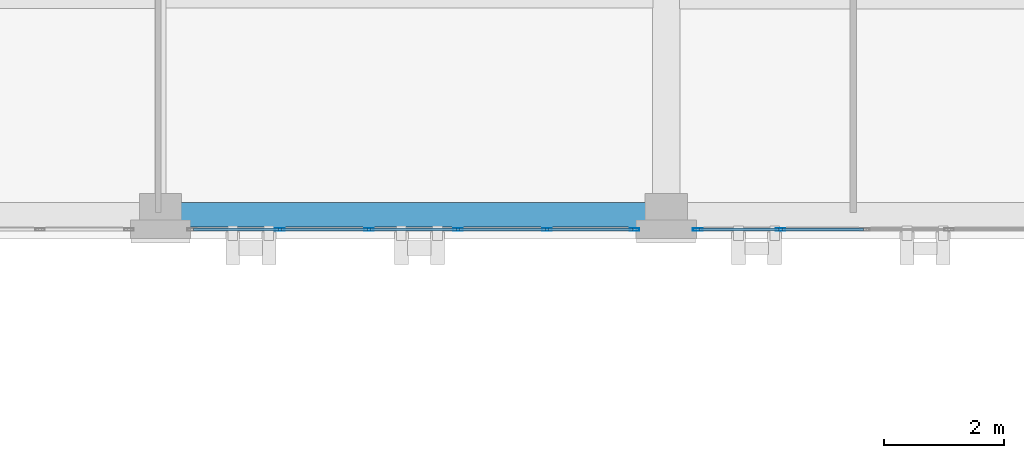
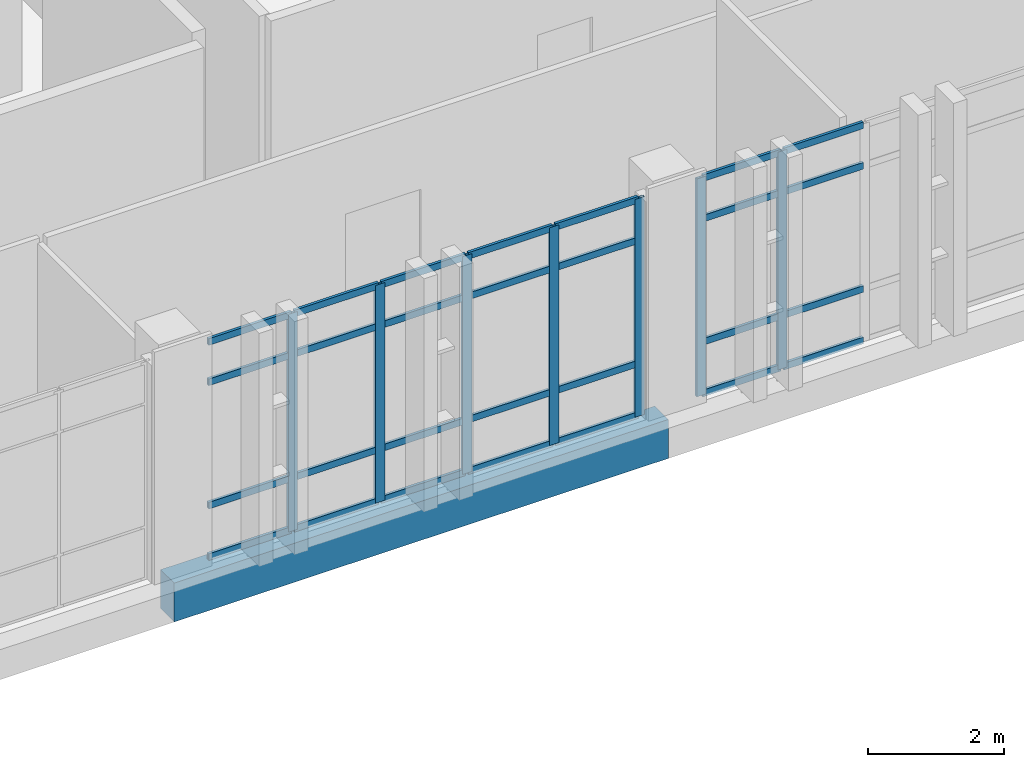
# One storey, part 85 of 193: 35 members, 1 beam, 2 elements without a shape of their own.
"""IFC4 building model written with IfcOpenShell, lengths in metres."""

from ifc_helpers import new_model, si_unit, direction, frame, origin, origin_2d, place, context, subcontext, project, spatial, rectangle, hollow_rectangle, extrude, material, layer, layer_set, material_profile, profile_set, type_object, element, aggregate, save


model = new_model("IFC4")

# Units and contexts
model_context = context("Model", 3, precision=1e-05, world=origin(), true_north=direction((0.0, 1.0)))
body_context = subcontext(model_context, "Body", "Model", "MODEL_VIEW")
ifc_project = project(units=[si_unit("LENGTHUNIT", "METRE"), si_unit("AREAUNIT", "SQUARE_METRE"), si_unit("VOLUMEUNIT", "CUBIC_METRE"), si_unit("PLANEANGLEUNIT", "RADIAN"), si_unit("MASSUNIT", "GRAM", prefix="KILO")], contexts=[model_context])

# Site, building, storey
site_placement = place(None, origin())
site = spatial("IfcSite", under=ifc_project, at=site_placement, CompositionType="ELEMENT")
building_placement = place(site_placement, origin())
building = spatial("IfcBuilding", under=site, at=building_placement, Name="Qalavern Law Courts", CompositionType="ELEMENT")
storey_placement = place(building_placement, frame((0.0, 0.0, 10.199951171875)))
storey = spatial("IfcBuildingStorey", under=building, at=storey_placement, Name="L02", CompositionType="ELEMENT", Elevation=10.199951171875)

# Curtain wall, members
ifc_material_1 = material(Name="Anodised aluminium and insulated glazing", Category="aluminium")
ifc_layer = layer(ifc_material_1, 0.166015625)
ifc_layer_set = layer_set([ifc_layer], Name="Anodised aluminium and insulated glazing")
curtain_wall_type = type_object("IfcCurtainWallType", Name="ENV-CW-LIB", PredefinedType="USERDEFINED", material=ifc_layer_set)
curtain_wall_1_placement = place(storey_placement, origin())
curtain_wall_1 = element("IfcCurtainWall", 1, at=curtain_wall_1_placement, inside=storey, type_object=curtain_wall_type, Name="V5 unitised curtain wall L02 south 2", ObjectType="UNITISED CURTAIN WALL", PredefinedType="USERDEFINED")
ifc_material_2 = material(Name="Anodised aluminium", Category="aluminium")
ifc_material_profile_1 = material_profile(ifc_material_2, hollow_rectangle(XDim=0.048095703125, YDim=0.159912109375, WallThickness=0.00390625, at=origin_2d()), Name="ALU MULLION 48x160")
ifc_profile_set_1 = profile_set([ifc_material_profile_1], Name="Anodised aluminium")
member_type_1 = type_object("IfcMemberType", Name="ENV-CWM-48x160", PredefinedType="MULLION", material=ifc_profile_set_1)
member_1_placement = place(storey_placement, frame((30.3798828125, 96.35498046875, 0.0), z_axis=(0.0, 0.0, 1.0), x_axis=(0.0, 1.0, 0.0)))
member_1 = element("IfcMember", 2, at=member_1_placement, type_object=member_type_1, Name="CW-05 mullion 2", PredefinedType="MULLION", context=body_context, shape_type="SweptSolid", body=[
    extrude(hollow_rectangle(XDim=0.048095703125, YDim=0.159912109375, WallThickness=0.00390625, at=origin_2d()), origin(), (0.0, 0.0, 1.0), 3.9150390625),
])
member_2_placement = place(storey_placement, frame((31.860107421875, 96.35498046875, 0.0), z_axis=(0.0, 0.0, 1.0), x_axis=(0.0, 1.0, 0.0)))
member_2 = element("IfcMember", 3, at=member_2_placement, type_object=member_type_1, Name="CW-05 mullion 3", PredefinedType="MULLION", context=body_context, shape_type="SweptSolid", body=[
    extrude(hollow_rectangle(XDim=0.048095703125, YDim=0.159912109375, WallThickness=0.00390625, at=origin_2d()), origin(), (0.0, 0.0, 1.0), 3.9150390625),
])
member_3_placement = place(storey_placement, frame((33.340087890625, 96.35498046875, 0.0), z_axis=(0.0, 0.0, 1.0), x_axis=(0.0, 1.0, 0.0)))
member_3 = element("IfcMember", 4, at=member_3_placement, type_object=member_type_1, Name="CW-05 mullion 4", PredefinedType="MULLION", context=body_context, shape_type="SweptSolid", body=[
    extrude(hollow_rectangle(XDim=0.048095703125, YDim=0.159912109375, WallThickness=0.00390625, at=origin_2d()), origin(), (0.0, 0.0, 1.0), 3.9150390625),
])
member_4_placement = place(storey_placement, frame((34.820068359375, 96.35498046875, 0.0), z_axis=(0.0, 0.0, 1.0), x_axis=(0.0, 1.0, 0.0)))
member_4 = element("IfcMember", 5, at=member_4_placement, type_object=member_type_1, Name="CW-05 mullion 5", PredefinedType="MULLION", context=body_context, shape_type="SweptSolid", body=[
    extrude(hollow_rectangle(XDim=0.048095703125, YDim=0.159912109375, WallThickness=0.00390625, at=origin_2d()), origin(), (0.0, 0.0, 1.0), 3.9150390625),
])
member_5_placement = place(storey_placement, frame((36.27587890625, 96.35498046875, 0.0), z_axis=(0.0, 0.0, 1.0), x_axis=(0.0, 1.0, 0.0)))
member_5 = element("IfcMember", 6, at=member_5_placement, type_object=member_type_1, Name="CW-05 mullion 6", PredefinedType="MULLION", context=body_context, shape_type="SweptSolid", body=[
    extrude(hollow_rectangle(XDim=0.048095703125, YDim=0.159912109375, WallThickness=0.00390625, at=origin_2d()), origin(), (0.0, 0.0, 1.0), 3.9150390625),
])

curtain_wall_2_placement = place(storey_placement, origin())
curtain_wall_2 = element("IfcCurtainWall", 7, at=curtain_wall_2_placement, inside=storey, type_object=curtain_wall_type, Name="V5 unitised curtain wall L02 south 3", ObjectType="UNITISED CURTAIN WALL", PredefinedType="USERDEFINED")
member_6_placement = place(storey_placement, frame((37.323974609375, 96.35498046875, 0.0), z_axis=(0.0, 0.0, 1.0), x_axis=(0.0, 1.0, 0.0)))
member_6 = element("IfcMember", 8, at=member_6_placement, type_object=member_type_1, Name="CW-05 mullion 1", PredefinedType="MULLION", context=body_context, shape_type="SweptSolid", body=[
    extrude(hollow_rectangle(XDim=0.048095703125, YDim=0.159912109375, WallThickness=0.00390625, at=origin_2d()), origin(), (0.0, 0.0, 1.0), 3.9150390625),
])
member_7_placement = place(storey_placement, frame((38.699951171875, 96.35498046875, 0.0), z_axis=(0.0, 0.0, 1.0), x_axis=(0.0, 1.0, 0.0)))
member_7 = element("IfcMember", 9, at=member_7_placement, type_object=member_type_1, Name="CW-05 mullion 2", PredefinedType="MULLION", context=body_context, shape_type="SweptSolid", body=[
    extrude(hollow_rectangle(XDim=0.048095703125, YDim=0.159912109375, WallThickness=0.00390625, at=origin_2d()), origin(), (0.0, 0.0, 1.0), 3.9150390625),
])

# Member
ifc_material_profile_2 = material_profile(ifc_material_2, hollow_rectangle(XDim=0.048095703125, YDim=0.1201171875, WallThickness=0.00390625, at=origin_2d()), Name="ALU TRANSOM 48x120")
ifc_profile_set_2 = profile_set([ifc_material_profile_2], Name="Anodised aluminium")
member_type_2 = type_object("IfcMemberType", Name="ENV-CWT-48x120", PredefinedType="USERDEFINED", material=ifc_profile_set_2)
member_8_placement = place(storey_placement, frame((28.947998046875, 96.35498046875, 0.024169921875), z_axis=(1.0, 0.0, 0.0), x_axis=(0.0, 1.0, 0.0)))
member_8 = element("IfcMember", 10, at=member_8_placement, type_object=member_type_2, Name="CW-05 transom 1.1", ObjectType="TRANSOM", PredefinedType="USERDEFINED", context=body_context, shape_type="SweptSolid", body=[
    extrude(hollow_rectangle(XDim=0.048095703125, YDim=0.1201171875, WallThickness=0.00390625, at=origin_2d()), origin(), (0.0, 0.0, 1.0), 1.407958984375),
])

member_9_placement = place(storey_placement, frame((28.947998046875, 96.35498046875, 0.949951171875), z_axis=(1.0, 0.0, 0.0), x_axis=(0.0, 1.0, 0.0)))
member_9 = element("IfcMember", 11, at=member_9_placement, type_object=member_type_2, Name="CW-05 transom 1.2", ObjectType="TRANSOM", PredefinedType="USERDEFINED", context=body_context, shape_type="SweptSolid", body=[
    extrude(hollow_rectangle(XDim=0.048095703125, YDim=0.1201171875, WallThickness=0.00390625, at=origin_2d()), origin(), (0.0, 0.0, 1.0), 1.407958984375),
])

member_10_placement = place(storey_placement, frame((28.947998046875, 96.35498046875, 3.1650390625), z_axis=(1.0, 0.0, 0.0), x_axis=(0.0, 1.0, 0.0)))
member_10 = element("IfcMember", 12, at=member_10_placement, type_object=member_type_2, Name="CW-05 transom 1.3", ObjectType="TRANSOM", PredefinedType="USERDEFINED", context=body_context, shape_type="SweptSolid", body=[
    extrude(hollow_rectangle(XDim=0.048095703125, YDim=0.1201171875, WallThickness=0.00390625, at=origin_2d()), origin(), (0.0, 0.0, 1.0), 1.407958984375),
])

member_11_placement = place(storey_placement, frame((28.947998046875, 96.35498046875, 3.89111328125), z_axis=(1.0, 0.0, 0.0), x_axis=(0.0, 1.0, 0.0)))
member_11 = element("IfcMember", 13, at=member_11_placement, type_object=member_type_2, Name="CW-05 transom 1.4", ObjectType="TRANSOM", PredefinedType="USERDEFINED", context=body_context, shape_type="SweptSolid", body=[
    extrude(hollow_rectangle(XDim=0.048095703125, YDim=0.1201171875, WallThickness=0.00390625, at=origin_2d()), origin(), (0.0, 0.0, 1.0), 1.407958984375),
])

member_12_placement = place(storey_placement, frame((30.404052734375, 96.35498046875, 0.024169921875), z_axis=(1.0, 0.0, 0.0), x_axis=(0.0, 1.0, 0.0)))
member_12 = element("IfcMember", 14, at=member_12_placement, type_object=member_type_2, Name="CW-05 transom 2.1", ObjectType="TRANSOM", PredefinedType="USERDEFINED", context=body_context, shape_type="SweptSolid", body=[
    extrude(hollow_rectangle(XDim=0.048095703125, YDim=0.1201171875, WallThickness=0.00390625, at=origin_2d()), origin(), (0.0, 0.0, 1.0), 1.431884765625),
])

member_13_placement = place(storey_placement, frame((30.404052734375, 96.35498046875, 0.949951171875), z_axis=(1.0, 0.0, 0.0), x_axis=(0.0, 1.0, 0.0)))
member_13 = element("IfcMember", 15, at=member_13_placement, type_object=member_type_2, Name="CW-05 transom 2.2", ObjectType="TRANSOM", PredefinedType="USERDEFINED", context=body_context, shape_type="SweptSolid", body=[
    extrude(hollow_rectangle(XDim=0.048095703125, YDim=0.1201171875, WallThickness=0.00390625, at=origin_2d()), origin(), (0.0, 0.0, 1.0), 1.431884765625),
])

member_14_placement = place(storey_placement, frame((30.404052734375, 96.35498046875, 3.1650390625), z_axis=(1.0, 0.0, 0.0), x_axis=(0.0, 1.0, 0.0)))
member_14 = element("IfcMember", 16, at=member_14_placement, type_object=member_type_2, Name="CW-05 transom 2.3", ObjectType="TRANSOM", PredefinedType="USERDEFINED", context=body_context, shape_type="SweptSolid", body=[
    extrude(hollow_rectangle(XDim=0.048095703125, YDim=0.1201171875, WallThickness=0.00390625, at=origin_2d()), origin(), (0.0, 0.0, 1.0), 1.431884765625),
])

member_15_placement = place(storey_placement, frame((30.404052734375, 96.35498046875, 3.89111328125), z_axis=(1.0, 0.0, 0.0), x_axis=(0.0, 1.0, 0.0)))
member_15 = element("IfcMember", 17, at=member_15_placement, type_object=member_type_2, Name="CW-05 transom 2.4", ObjectType="TRANSOM", PredefinedType="USERDEFINED", context=body_context, shape_type="SweptSolid", body=[
    extrude(hollow_rectangle(XDim=0.048095703125, YDim=0.1201171875, WallThickness=0.00390625, at=origin_2d()), origin(), (0.0, 0.0, 1.0), 1.431884765625),
])

member_16_placement = place(storey_placement, frame((31.884033203125, 96.35498046875, 0.024169921875), z_axis=(1.0, 0.0, 0.0), x_axis=(0.0, 1.0, 0.0)))
member_16 = element("IfcMember", 18, at=member_16_placement, type_object=member_type_2, Name="CW-05 transom 3.1", ObjectType="TRANSOM", PredefinedType="USERDEFINED", context=body_context, shape_type="SweptSolid", body=[
    extrude(hollow_rectangle(XDim=0.048095703125, YDim=0.1201171875, WallThickness=0.00390625, at=origin_2d()), origin(), (0.0, 0.0, 1.0), 1.431884765625),
])

member_17_placement = place(storey_placement, frame((31.884033203125, 96.35498046875, 0.949951171875), z_axis=(1.0, 0.0, 0.0), x_axis=(0.0, 1.0, 0.0)))
member_17 = element("IfcMember", 19, at=member_17_placement, type_object=member_type_2, Name="CW-05 transom 3.2", ObjectType="TRANSOM", PredefinedType="USERDEFINED", context=body_context, shape_type="SweptSolid", body=[
    extrude(hollow_rectangle(XDim=0.048095703125, YDim=0.1201171875, WallThickness=0.00390625, at=origin_2d()), origin(), (0.0, 0.0, 1.0), 1.431884765625),
])

member_18_placement = place(storey_placement, frame((31.884033203125, 96.35498046875, 3.1650390625), z_axis=(1.0, 0.0, 0.0), x_axis=(0.0, 1.0, 0.0)))
member_18 = element("IfcMember", 20, at=member_18_placement, type_object=member_type_2, Name="CW-05 transom 3.3", ObjectType="TRANSOM", PredefinedType="USERDEFINED", context=body_context, shape_type="SweptSolid", body=[
    extrude(hollow_rectangle(XDim=0.048095703125, YDim=0.1201171875, WallThickness=0.00390625, at=origin_2d()), origin(), (0.0, 0.0, 1.0), 1.431884765625),
])

member_19_placement = place(storey_placement, frame((31.884033203125, 96.35498046875, 3.89111328125), z_axis=(1.0, 0.0, 0.0), x_axis=(0.0, 1.0, 0.0)))
member_19 = element("IfcMember", 21, at=member_19_placement, type_object=member_type_2, Name="CW-05 transom 3.4", ObjectType="TRANSOM", PredefinedType="USERDEFINED", context=body_context, shape_type="SweptSolid", body=[
    extrude(hollow_rectangle(XDim=0.048095703125, YDim=0.1201171875, WallThickness=0.00390625, at=origin_2d()), origin(), (0.0, 0.0, 1.0), 1.431884765625),
])

member_20_placement = place(storey_placement, frame((33.364013671875, 96.35498046875, 0.024169921875), z_axis=(1.0, 0.0, 0.0), x_axis=(0.0, 1.0, 0.0)))
member_20 = element("IfcMember", 22, at=member_20_placement, type_object=member_type_2, Name="CW-05 transom 4.1", ObjectType="TRANSOM", PredefinedType="USERDEFINED", context=body_context, shape_type="SweptSolid", body=[
    extrude(hollow_rectangle(XDim=0.048095703125, YDim=0.1201171875, WallThickness=0.00390625, at=origin_2d()), origin(), (0.0, 0.0, 1.0), 1.431884765625),
])

member_21_placement = place(storey_placement, frame((33.364013671875, 96.35498046875, 0.949951171875), z_axis=(1.0, 0.0, 0.0), x_axis=(0.0, 1.0, 0.0)))
member_21 = element("IfcMember", 23, at=member_21_placement, type_object=member_type_2, Name="CW-05 transom 4.2", ObjectType="TRANSOM", PredefinedType="USERDEFINED", context=body_context, shape_type="SweptSolid", body=[
    extrude(hollow_rectangle(XDim=0.048095703125, YDim=0.1201171875, WallThickness=0.00390625, at=origin_2d()), origin(), (0.0, 0.0, 1.0), 1.431884765625),
])

member_22_placement = place(storey_placement, frame((33.364013671875, 96.35498046875, 3.1650390625), z_axis=(1.0, 0.0, 0.0), x_axis=(0.0, 1.0, 0.0)))
member_22 = element("IfcMember", 24, at=member_22_placement, type_object=member_type_2, Name="CW-05 transom 4.3", ObjectType="TRANSOM", PredefinedType="USERDEFINED", context=body_context, shape_type="SweptSolid", body=[
    extrude(hollow_rectangle(XDim=0.048095703125, YDim=0.1201171875, WallThickness=0.00390625, at=origin_2d()), origin(), (0.0, 0.0, 1.0), 1.431884765625),
])

member_23_placement = place(storey_placement, frame((33.364013671875, 96.35498046875, 3.89111328125), z_axis=(1.0, 0.0, 0.0), x_axis=(0.0, 1.0, 0.0)))
member_23 = element("IfcMember", 25, at=member_23_placement, type_object=member_type_2, Name="CW-05 transom 4.4", ObjectType="TRANSOM", PredefinedType="USERDEFINED", context=body_context, shape_type="SweptSolid", body=[
    extrude(hollow_rectangle(XDim=0.048095703125, YDim=0.1201171875, WallThickness=0.00390625, at=origin_2d()), origin(), (0.0, 0.0, 1.0), 1.431884765625),
])

member_24_placement = place(storey_placement, frame((34.843994140625, 96.35498046875, 0.024169921875), z_axis=(1.0, 0.0, 0.0), x_axis=(0.0, 1.0, 0.0)))
member_24 = element("IfcMember", 26, at=member_24_placement, type_object=member_type_2, Name="CW-05 transom 5.1", ObjectType="TRANSOM", PredefinedType="USERDEFINED", context=body_context, shape_type="SweptSolid", body=[
    extrude(hollow_rectangle(XDim=0.048095703125, YDim=0.1201171875, WallThickness=0.00390625, at=origin_2d()), origin(), (0.0, 0.0, 1.0), 1.407958984375),
])

member_25_placement = place(storey_placement, frame((34.843994140625, 96.35498046875, 0.949951171875), z_axis=(1.0, 0.0, 0.0), x_axis=(0.0, 1.0, 0.0)))
member_25 = element("IfcMember", 27, at=member_25_placement, type_object=member_type_2, Name="CW-05 transom 5.2", ObjectType="TRANSOM", PredefinedType="USERDEFINED", context=body_context, shape_type="SweptSolid", body=[
    extrude(hollow_rectangle(XDim=0.048095703125, YDim=0.1201171875, WallThickness=0.00390625, at=origin_2d()), origin(), (0.0, 0.0, 1.0), 1.407958984375),
])

member_26_placement = place(storey_placement, frame((34.843994140625, 96.35498046875, 3.1650390625), z_axis=(1.0, 0.0, 0.0), x_axis=(0.0, 1.0, 0.0)))
member_26 = element("IfcMember", 28, at=member_26_placement, type_object=member_type_2, Name="CW-05 transom 5.3", ObjectType="TRANSOM", PredefinedType="USERDEFINED", context=body_context, shape_type="SweptSolid", body=[
    extrude(hollow_rectangle(XDim=0.048095703125, YDim=0.1201171875, WallThickness=0.00390625, at=origin_2d()), origin(), (0.0, 0.0, 1.0), 1.407958984375),
])

member_27_placement = place(storey_placement, frame((34.843994140625, 96.35498046875, 3.89111328125), z_axis=(1.0, 0.0, 0.0), x_axis=(0.0, 1.0, 0.0)))
member_27 = element("IfcMember", 29, at=member_27_placement, type_object=member_type_2, Name="CW-05 transom 5.4", ObjectType="TRANSOM", PredefinedType="USERDEFINED", context=body_context, shape_type="SweptSolid", body=[
    extrude(hollow_rectangle(XDim=0.048095703125, YDim=0.1201171875, WallThickness=0.00390625, at=origin_2d()), origin(), (0.0, 0.0, 1.0), 1.407958984375),
])

aggregate(curtain_wall_1, [member_1, member_2, member_3, member_4, member_5, member_8, member_9, member_10, member_11, member_12, member_13, member_14, member_15, member_16, member_17, member_18, member_19, member_20, member_21, member_22, member_23, member_24, member_25, member_26, member_27])

member_28_placement = place(storey_placement, frame((37.347900390625, 96.35498046875, 0.024169921875), z_axis=(1.0, 0.0, 0.0), x_axis=(0.0, 1.0, 0.0)))
member_28 = element("IfcMember", 30, at=member_28_placement, type_object=member_type_2, Name="CW-05 transom 1.1", ObjectType="TRANSOM", PredefinedType="USERDEFINED", context=body_context, shape_type="SweptSolid", body=[
    extrude(hollow_rectangle(XDim=0.048095703125, YDim=0.1201171875, WallThickness=0.00390625, at=origin_2d()), origin(), (0.0, 0.0, 1.0), 1.328125),
])

member_29_placement = place(storey_placement, frame((37.347900390625, 96.35498046875, 0.949951171875), z_axis=(1.0, 0.0, 0.0), x_axis=(0.0, 1.0, 0.0)))
member_29 = element("IfcMember", 31, at=member_29_placement, type_object=member_type_2, Name="CW-05 transom 1.2", ObjectType="TRANSOM", PredefinedType="USERDEFINED", context=body_context, shape_type="SweptSolid", body=[
    extrude(hollow_rectangle(XDim=0.048095703125, YDim=0.1201171875, WallThickness=0.00390625, at=origin_2d()), origin(), (0.0, 0.0, 1.0), 1.328125),
])

member_30_placement = place(storey_placement, frame((37.347900390625, 96.35498046875, 3.1650390625), z_axis=(1.0, 0.0, 0.0), x_axis=(0.0, 1.0, 0.0)))
member_30 = element("IfcMember", 32, at=member_30_placement, type_object=member_type_2, Name="CW-05 transom 1.3", ObjectType="TRANSOM", PredefinedType="USERDEFINED", context=body_context, shape_type="SweptSolid", body=[
    extrude(hollow_rectangle(XDim=0.048095703125, YDim=0.1201171875, WallThickness=0.00390625, at=origin_2d()), origin(), (0.0, 0.0, 1.0), 1.328125),
])

member_31_placement = place(storey_placement, frame((37.347900390625, 96.35498046875, 3.89111328125), z_axis=(1.0, 0.0, 0.0), x_axis=(0.0, 1.0, 0.0)))
member_31 = element("IfcMember", 33, at=member_31_placement, type_object=member_type_2, Name="CW-05 transom 1.4", ObjectType="TRANSOM", PredefinedType="USERDEFINED", context=body_context, shape_type="SweptSolid", body=[
    extrude(hollow_rectangle(XDim=0.048095703125, YDim=0.1201171875, WallThickness=0.00390625, at=origin_2d()), origin(), (0.0, 0.0, 1.0), 1.328125),
])

member_32_placement = place(storey_placement, frame((38.72412109375, 96.35498046875, 0.024169921875), z_axis=(1.0, 0.0, 0.0), x_axis=(0.0, 1.0, 0.0)))
member_32 = element("IfcMember", 34, at=member_32_placement, type_object=member_type_2, Name="CW-05 transom 2.1", ObjectType="TRANSOM", PredefinedType="USERDEFINED", context=body_context, shape_type="SweptSolid", body=[
    extrude(hollow_rectangle(XDim=0.048095703125, YDim=0.1201171875, WallThickness=0.00390625, at=origin_2d()), origin(), (0.0, 0.0, 1.0), 1.351806640625),
])

member_33_placement = place(storey_placement, frame((38.72412109375, 96.35498046875, 0.949951171875), z_axis=(1.0, 0.0, 0.0), x_axis=(0.0, 1.0, 0.0)))
member_33 = element("IfcMember", 35, at=member_33_placement, type_object=member_type_2, Name="CW-05 transom 2.2", ObjectType="TRANSOM", PredefinedType="USERDEFINED", context=body_context, shape_type="SweptSolid", body=[
    extrude(hollow_rectangle(XDim=0.048095703125, YDim=0.1201171875, WallThickness=0.00390625, at=origin_2d()), origin(), (0.0, 0.0, 1.0), 1.351806640625),
])

member_34_placement = place(storey_placement, frame((38.72412109375, 96.35498046875, 3.1650390625), z_axis=(1.0, 0.0, 0.0), x_axis=(0.0, 1.0, 0.0)))
member_34 = element("IfcMember", 36, at=member_34_placement, type_object=member_type_2, Name="CW-05 transom 2.3", ObjectType="TRANSOM", PredefinedType="USERDEFINED", context=body_context, shape_type="SweptSolid", body=[
    extrude(hollow_rectangle(XDim=0.048095703125, YDim=0.1201171875, WallThickness=0.00390625, at=origin_2d()), origin(), (0.0, 0.0, 1.0), 1.351806640625),
])

member_35_placement = place(storey_placement, frame((38.72412109375, 96.35498046875, 3.89111328125), z_axis=(1.0, 0.0, 0.0), x_axis=(0.0, 1.0, 0.0)))
member_35 = element("IfcMember", 37, at=member_35_placement, type_object=member_type_2, Name="CW-05 transom 2.4", ObjectType="TRANSOM", PredefinedType="USERDEFINED", context=body_context, shape_type="SweptSolid", body=[
    extrude(hollow_rectangle(XDim=0.048095703125, YDim=0.1201171875, WallThickness=0.00390625, at=origin_2d()), origin(), (0.0, 0.0, 1.0), 1.351806640625),
])

aggregate(curtain_wall_2, [member_6, member_7, member_28, member_29, member_30, member_31, member_32, member_33, member_34, member_35])

# Beam
ifc_material_3 = material(Name="Concrete C40/50", Category="concrete")
ifc_material_profile_3 = material_profile(ifc_material_3, rectangle(XDim=0.39990234375, YDim=0.699951171875, at=origin_2d()), Name="RC 400x700")
ifc_profile_set_3 = profile_set([ifc_material_profile_3], Name="Concrete C40/50")
beam_type = type_object("IfcBeamType", Name="STR-SP-RC400x700", PredefinedType="SPANDREL", material=ifc_profile_set_3)
beam_placement = place(storey_placement, frame((28.39990234375, 96.60009765625, -0.639892578125), z_axis=(1.0, 0.0, 0.0), x_axis=(0.0, 1.0, 0.0)))
element("IfcBeam", 38, at=beam_placement, inside=storey, type_object=beam_type, Name="V5 X-beam 1-4 L02", PredefinedType="SPANDREL", context=body_context, shape_type="SweptSolid", body=[
    extrude(rectangle(XDim=0.39990234375, YDim=0.699951171875, at=origin_2d()), origin(), (0.0, 0.0, 1.0), 8.400146484375),
])

save(model, "model.ifc")
